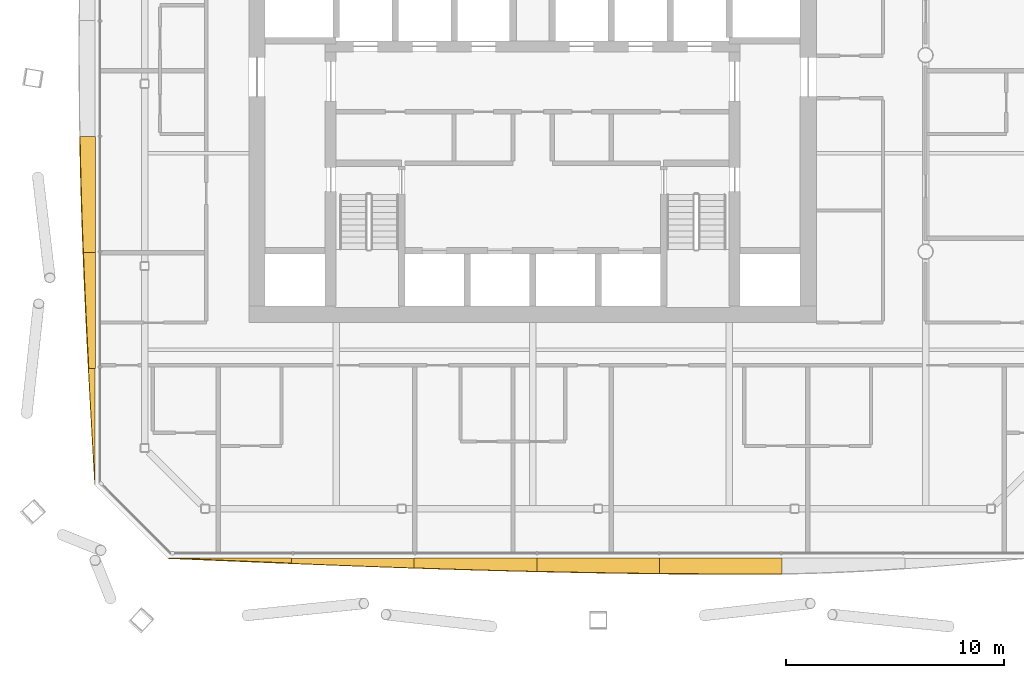
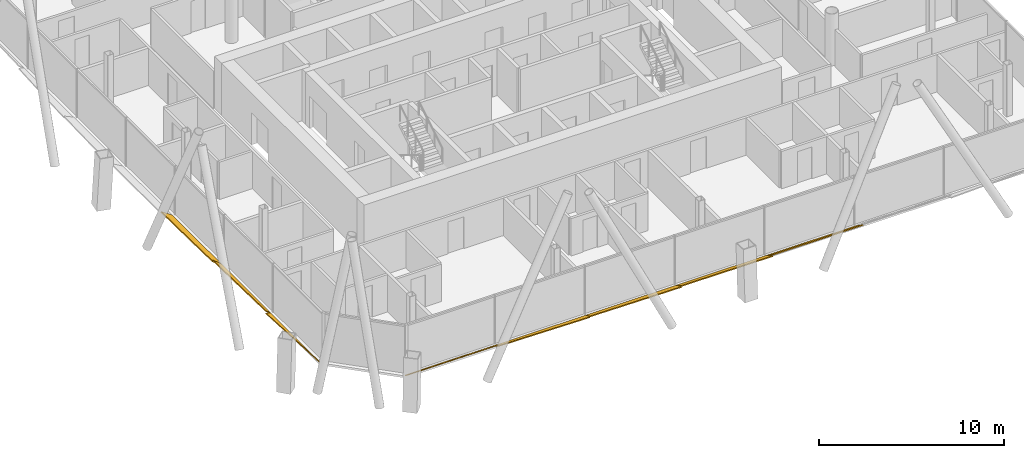
# One storey, part 19 of 23: 8 shading devices.
"""IFC4 building model written with IfcOpenShell, lengths in metres."""

from ifc_helpers import new_model, si_unit, direction, frame, origin, place, context, subcontext, project, spatial, polyline, outline, extrude, material, layer, layer_set, type_object, element, save


model = new_model("IFC4")

# Units and contexts
model_context = context("Model", 3, precision=1e-05, world=origin(), true_north=direction((0.0, 1.0)))
body_context = subcontext(model_context, "Body", "Model", "MODEL_VIEW")
ifc_project = project(units=[si_unit("LENGTHUNIT", "METRE"), si_unit("AREAUNIT", "SQUARE_METRE"), si_unit("VOLUMEUNIT", "CUBIC_METRE"), si_unit("PLANEANGLEUNIT", "RADIAN"), si_unit("MASSUNIT", "GRAM", prefix="KILO")], contexts=[model_context])

# Site, building, storey
site_placement = place(None, origin())
site = spatial("IfcSite", under=ifc_project, at=site_placement, CompositionType="ELEMENT")
building_placement = place(site_placement, origin())
building = spatial("IfcBuilding", under=site, at=building_placement, Name="Tskaro Facet Tower", CompositionType="ELEMENT")
storey_placement = place(building_placement, frame((0.0, 0.0, 131.699951171875)))
storey = spatial("IfcBuildingStorey", under=building, at=storey_placement, Name="L31", CompositionType="ELEMENT", Elevation=131.699951171875)

# Shading devices
ifc_material = material(Name="Bronze anodised aluminium 6063-T6", Category="aluminium")
ifc_layer = layer(ifc_material, 0.06005859375, Name="Bronze anodised aluminium 6063-T6")
ifc_layer_set = layer_set([ifc_layer], Name="Bronze anodised aluminium 6063-T6")
shading_device_type = type_object("IfcShadingDeviceType", Name="Bronze sun blade (FN1)", PredefinedType="USERDEFINED", material=ifc_layer_set)
shading_device_1_placement = place(storey_placement, frame((-16.677978515625, -23.031494140625, 0.0458984375), z_axis=(2.6615973e-05, 0.643451376281, 0.765486985946), x_axis=(0.999999999646, -1.7126085e-05, -2.0374181e-05)))
element("IfcShadingDevice", 1, at=shading_device_1_placement, inside=storey, type_object=shading_device_type, Name="Fin blade south 1", ObjectType="FIN", PredefinedType="USERDEFINED", context=body_context, shape_type="SweptSolid", body=[
    extrude(outline(polyline([(0.0, 0.0), (5.6223144511335486, 0.0), (5.622314455089393, -0.30637164418896057), (4.919433594234316, -0.26911085017398156), (4.216796874797145, -0.23150607706653994), (3.513916015528054, -0.1935573248666358), (2.811035157051955, -0.15526459357426903), (2.108398435019596, -0.11678497581065772), (1.4055175731553158, -0.07796137895458385), (0.7028808568901146, -0.03898068947729193), (0.0, 0.0)])), origin(), (0.0, 0.0, -1.0), 0.06005859375),
])
shading_device_2_placement = place(storey_placement, frame((-11.0556640625, -23.049560546875, 0.056396484375), z_axis=(-3.170287e-06, 0.342230398338, 0.939616067574), x_axis=(0.999999999995, 1.084969e-06, 2.978853e-06)))
element("IfcShadingDevice", 2, at=shading_device_2_placement, inside=storey, type_object=shading_device_type, Name="Fin blade south 2", ObjectType="FIN", PredefinedType="USERDEFINED", context=body_context, shape_type="SweptSolid", body=[
    extrude(outline(polyline([(0.0, 0.0), (5.622314453096746, 0.0), (5.6223144531788884, -0.47290038991519506), (4.91943359358482, -0.44741145706291197), (4.216552734323033, -0.42092137805128926), (3.5139160154887543, -0.39388894978832445), (2.8110351560968727, -0.3660847738200188), (2.1083984378597598, -0.33782180094371556), (1.4055175780729008, -0.30893292647272574), (0.7026367188158112, -0.2795852550937384), (-1.3768730950332475e-11, -0.2496952344634089), (0.0, 0.0)])), origin(), (0.0, 0.0, -1.0), 0.06005859375),
])
shading_device_3_placement = place(storey_placement, frame((-5.433349609375, -23.044677734375, 0.054443359375), z_axis=(-9.43637e-06, 0.422604306205, 0.90631429443), x_axis=(0.999999999955, 3.98785e-06, 8.552317e-06)))
element("IfcShadingDevice", 3, at=shading_device_3_placement, inside=storey, type_object=shading_device_type, Name="Fin blade south 3", ObjectType="FIN", PredefinedType="USERDEFINED", context=body_context, shape_type="SweptSolid", body=[
    extrude(outline(polyline([(0.0, 0.0), (5.62231445287468, 4.7622855816209186e-21), (5.6223144535834955, -0.669976720109158), (4.919433593488588, -0.6510831794064474), (4.216552733112131, -0.6310982163916449), (3.5139160151670796, -0.6101250059441995), (2.8110351563154885, -0.5880603731846623), (2.1083984378073355, -0.5649043181130331), (1.4055175795070145, -0.5409812837470596), (0.7026367178635786, -0.5160849203278431), (-2.3407916694984584e-10, -0.49052475249373173), (0.0, 0.0)])), origin(), (0.0, 0.0, -1.0), 0.06005859375),
])
shading_device_4_placement = place(storey_placement, frame((0.18896484375, -23.0400390625, 0.052001953125), z_axis=(3.18942e-06, 0.500071426921, 0.865984161499), x_axis=(0.999999999995, -1.594938e-06, -2.761988e-06)))
element("IfcShadingDevice", 4, at=shading_device_4_placement, inside=storey, type_object=shading_device_type, Name="Fin blade south 4", ObjectType="FIN", PredefinedType="USERDEFINED", context=body_context, shape_type="SweptSolid", body=[
    extrude(outline(polyline([(0.0, 0.0), (5.622070312471405, 0.0), (5.622070312662, -0.8144402789774496), (4.9194335934882965, -0.8049322666232844), (4.216552734439902, -0.7938787936941165), (3.5139160158075753, -0.7817354576058029), (2.811035156236856, -0.7679573267787709), (2.108154296846595, -0.7533007547070228), (1.4055175777679387, -0.7370093878965562), (0.702636718919056, -0.7197174920906598), (9.685282599944822e-11, -0.7011243112111882), (0.0, 0.0)])), origin(), (0.0, 0.0, -1.0), 0.06005859375),
])
shading_device_5_placement = place(storey_placement, frame((5.81103515625, -23.03564453125, 0.04931640625), z_axis=(1.471345e-06, 0.573494345134, 0.819209519047), x_axis=(0.999999999999, -8.43808e-07, -1.20534e-06)))
element("IfcShadingDevice", 5, at=shading_device_5_placement, inside=storey, type_object=shading_device_type, Name="Fin blade south 5", ObjectType="FIN", PredefinedType="USERDEFINED", context=body_context, shape_type="SweptSolid", body=[
    extrude(outline(polyline([(0.0, 0.0), (5.622314453118915, 5.952856977026148e-22), (5.622314452993085, -0.8827944011789406), (4.9196777343031455, -0.8905147004239766), (4.509277343914076, -0.891594736255632), (4.2167968749583835, -0.8913947339316457), (3.513916015642931, -0.8901746848321352), (2.8112792968935203, -0.8871945687172864), (2.108398437371888, -0.8827944011789406), (1.4057617188283136, -0.8770341712732292), (0.7028808595125178, -0.8698538899440209), (-1.5650788278642404e-10, -0.8610535548673297), (0.0, 0.0)])), origin(), (0.0, 0.0, -1.0), 0.06005859375),
])
shading_device_6_placement = place(storey_placement, frame((-20.03564453125, -3.7333984375, 0.04931640625), z_axis=(0.573543888408, 2.3729806e-05, 0.819174833297), x_axis=(1.3610085e-05, -0.999999999718, 1.943886e-05)))
element("IfcShadingDevice", 6, at=shading_device_6_placement, inside=storey, type_object=shading_device_type, Name="Fin blade west 5", ObjectType="FIN", PredefinedType="USERDEFINED", context=body_context, shape_type="SweptSolid", body=[
    extrude(outline(polyline([(0.0, 0.0), (5.314941404753569, 0.0), (5.314941406036929, -0.6622658131620933), (4.650634763628838, -0.6926069872607812), (3.986083984871978, -0.7209881029148962), (3.3217773429476205, -0.7474691286168602), (2.657470700553609, -0.7718500705108311), (1.9931640624357585, -0.7942709539602294), (1.3288574224252134, -0.8142517343823727), (0.6643066413200833, -0.8321324309965232), (-4.375585274195751e-09, -0.8477730184392608), (0.0, 0.0)])), origin(), (0.0, 0.0, -1.0), 0.06005859375),
])
shading_device_7_placement = place(storey_placement, frame((-20.031494140625, -9.04833984375, 0.0458984375), z_axis=(0.642987394475, 1.2081967e-05, 0.765876759277), x_axis=(7.768552e-06, -0.999999999927, 9.253298e-06)))
element("IfcShadingDevice", 7, at=shading_device_7_placement, inside=storey, type_object=shading_device_type, Name="Fin blade west 6", ObjectType="FIN", PredefinedType="USERDEFINED", context=body_context, shape_type="SweptSolid", body=[
    extrude(outline(polyline([(0.0, 0.0), (5.314697265237096, 4.501723688666715e-21), (5.314697265495194, -0.3876455735242693), (4.650390626328965, -0.4326905254319878), (3.9860839838161706, -0.47654661507015417), (3.321777344009155, -0.518996858521741), (2.657470700855573, -0.5602582397037759), (1.9929199216794076, -0.5999267930685348), (1.328613281315791, -0.6378755415579831), (0.6643066410363601, -0.673917503541424), (-1.0555039561578199e-09, -0.7082396606495541), (0.0, 0.0)])), origin(), (0.0, 0.0, -1.0), 0.06005859375),
])
shading_device_8_placement = place(storey_placement, frame((-20.049560546875, -14.363037109375, 0.056396484375), z_axis=(0.342194206111, -6.474541e-06, 0.939629248833), x_axis=(-2.215551e-06, -0.999999999979, -6.083668e-06)))
element("IfcShadingDevice", 8, at=shading_device_8_placement, inside=storey, type_object=shading_device_type, Name="Fin blade west 7", ObjectType="FIN", PredefinedType="USERDEFINED", context=body_context, shape_type="SweptSolid", body=[
    extrude(outline(polyline([(0.0, 0.0), (5.3149414061386, -2.2509652419099266e-21), (4.650634765248418, -0.04054864076409402), (3.9863281243582365, -0.08109728152818804), (3.3217773437874243, -0.12133297711284592), (2.6574707033007012, -0.16133927102542062), (1.9931640622730722, -0.20111616326591217), (1.328857422593267, -0.24003776347544825), (0.664550781290744, -0.2782711586687348), (-2.3331522094881295e-10, -0.31596220701050204), (0.0, 0.0)])), origin(), (0.0, 0.0, -1.0), 0.06005859375),
])

save(model, "model.ifc")
